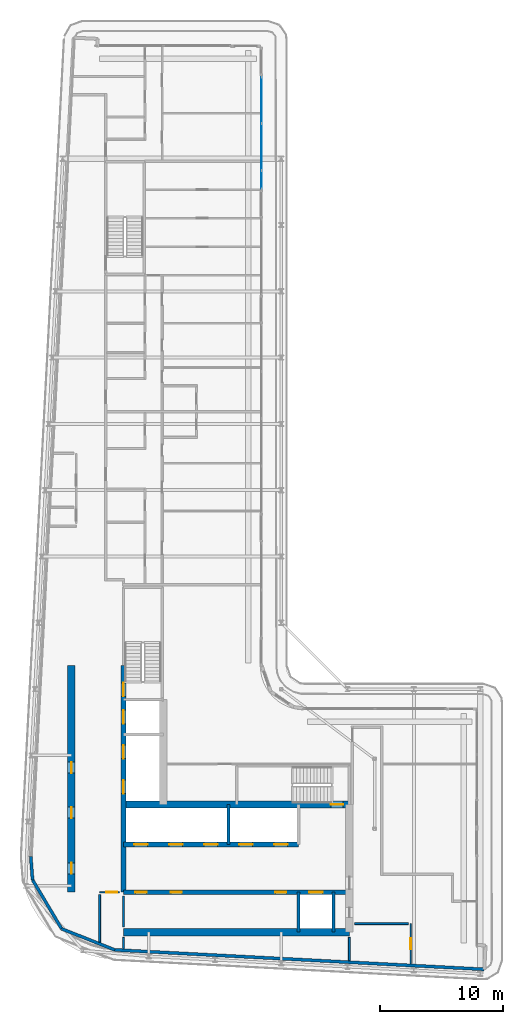
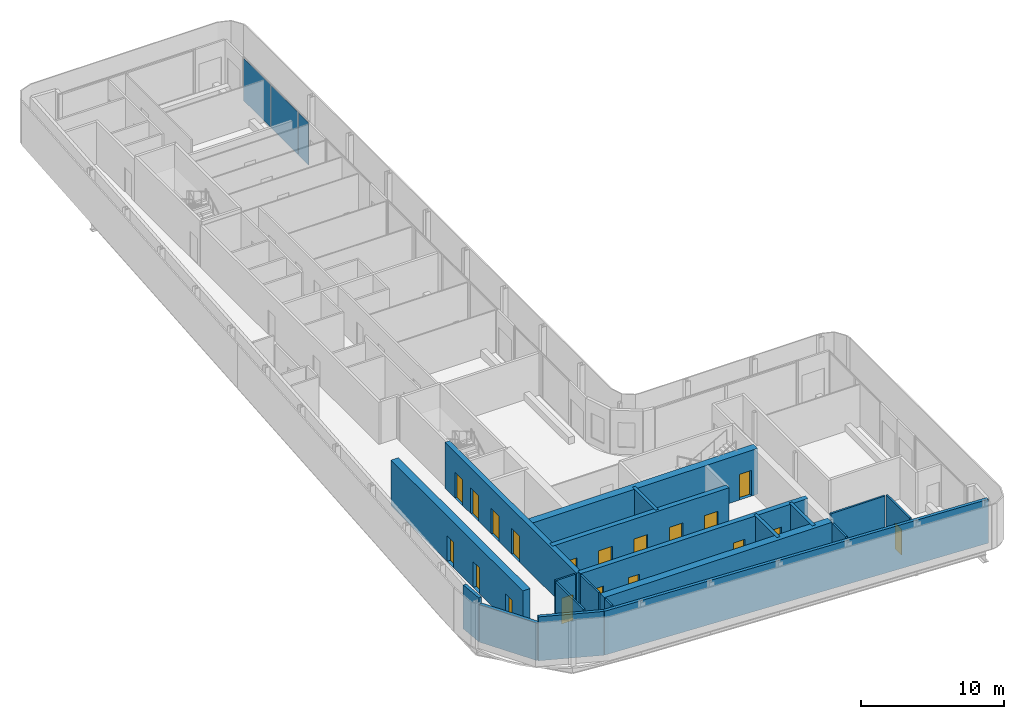
# One storey, part 11 of 21: 20 walls, 19 doors, 3 plates, 19 openings, 2 elements without a shape of their own.
"""IFC4 building model written with IfcOpenShell, lengths in metres."""

import ifcopenshell
import ifcopenshell.guid

model = None  # the IFC model being written
_history = None  # IfcOwnerHistory: only IFC2X3 demands one
_inside = {}  # id of a spatial element -> (the spatial element, [elements in it])
_under = {}  # id of a project, library or spatial element -> (it, [spatial elements below it])
_declared = {}  # id of a project -> (the project, [libraries it declares])
_typed = {}  # id of a type object -> (the type object, [elements of that type])
_made_of = {}  # id of a material, layer set ... -> (it, [elements and type objects made of it])


def new_model(schema):
    """Start an empty IFC model of exactly this schema.

    Asked for "IFC4X3", IfcOpenShell would pick the latest addendum, in which some entities
    have other attributes; the version numbers below select the first issue.
    IFC2X3 requires an IfcOwnerHistory on every rooted entity: one is made here for all.
    """
    global model, _history
    if schema == "IFC4X3":
        model = ifcopenshell.file(schema_version=(4, 3, 0, 0))
    else:
        model = ifcopenshell.file(schema=schema)
    _inside.clear()
    _under.clear()
    _declared.clear()
    _typed.clear()
    _made_of.clear()
    _history = None
    if model.schema == "IFC2X3":
        org = make("IfcOrganization", Name="unknown")
        user = make(
            "IfcPersonAndOrganization",
            ThePerson=make("IfcPerson", FamilyName="unknown"),
            TheOrganization=org,
        )
        app = make(
            "IfcApplication",
            ApplicationDeveloper=org,
            Version="unknown",
            ApplicationFullName="unknown",
            ApplicationIdentifier="unknown",
        )
        _history = make(
            "IfcOwnerHistory",
            OwningUser=user,
            OwningApplication=app,
            ChangeAction="ADDED",
            CreationDate=0,
        )
    return model


def make(cls, **values):
    """One entity of the class cls with the attributes given. An attribute that is None is left unset."""
    return model.create_entity(
        cls, **{name: value for name, value in values.items() if value is not None}
    )


def rooted(cls, **values):
    """An entity with a GlobalId (a new one), such as an element, a storey or a relation."""
    return make(cls, GlobalId=ifcopenshell.guid.new(), OwnerHistory=_history, **values)


def si_unit(unit_type, name, prefix=None):
    """IfcSIUnit, for example si_unit("LENGTHUNIT", "METRE", prefix="MILLI")."""
    return make("IfcSIUnit", UnitType=unit_type, Prefix=prefix, Name=name)


def assignment(units):
    """IfcUnitAssignment: the units of a project."""
    return None if units is None else make("IfcUnitAssignment", Units=units)


def point(xyz):
    """IfcCartesianPoint."""
    return None if xyz is None else make("IfcCartesianPoint", Coordinates=xyz)


def direction(xyz):
    """IfcDirection."""
    return None if xyz is None else make("IfcDirection", DirectionRatios=xyz)


def frame(location, z_axis=None, x_axis=None):
    """IfcAxis2Placement3D, a coordinate frame: its origin and axes. An axis left out is left unset."""
    return make(
        "IfcAxis2Placement3D",
        Location=point(location),
        Axis=direction(z_axis),
        RefDirection=direction(x_axis),
    )


def frame_2d(location, x_axis=None):
    """IfcAxis2Placement2D, a coordinate frame in the plane: its origin and x axis."""
    return make(
        "IfcAxis2Placement2D", Location=point(location), RefDirection=direction(x_axis)
    )


def origin():
    """The frame at (0, 0, 0) with its axes left unset."""
    return frame((0.0, 0.0, 0.0))


def origin_2d():
    """The frame at (0, 0) in the plane with its x axis left unset."""
    return frame_2d((0.0, 0.0))


def place(relative_to, where):
    """IfcLocalPlacement: puts the frame where relative to a parent placement (None: the world)."""
    return make(
        "IfcLocalPlacement", PlacementRelTo=relative_to, RelativePlacement=where
    )


def context(
    kind, dimensions, precision=None, world=None, true_north=None, identifier=None
):
    """IfcGeometricRepresentationContext, for example the 3D "Model" context."""
    return make(
        "IfcGeometricRepresentationContext",
        ContextIdentifier=identifier,
        ContextType=kind,
        CoordinateSpaceDimension=dimensions,
        Precision=precision,
        WorldCoordinateSystem=world,
        TrueNorth=true_north,
    )


def subcontext(parent, identifier, kind, view, scale=None):
    """IfcGeometricRepresentationSubContext, for example "Body" below "Model"."""
    return make(
        "IfcGeometricRepresentationSubContext",
        ContextIdentifier=identifier,
        ContextType=kind,
        ParentContext=parent,
        TargetScale=scale,
        TargetView=view,
    )


def project(units=None, contexts=None):
    """IfcProject with its units and contexts."""
    return rooted(
        "IfcProject",
        Name="project",
        RepresentationContexts=contexts,
        UnitsInContext=assignment(units),
    )


def spatial(cls, under=None, at=None, **own):
    """A site, building, storey or space (cls), placed at a placement, below another one or the project."""
    s = rooted(cls, ObjectPlacement=at, **own)
    if under is not None:
        _under.setdefault(under.id(), (under, []))[1].append(s)
    return s


def profile(cls, at=None, kind="AREA", **sizes):
    """A parametric profile (cls). Its sizes go by their IFC names, for example OverallWidth=200.0."""
    return make(cls, ProfileType=kind, Position=at, **sizes)


def rectangle(**sizes):
    """IfcRectangleProfileDef."""
    return profile("IfcRectangleProfileDef", **sizes)


def extrude(swept, where, along, depth):
    """IfcExtrudedAreaSolid: the profile swept, set in the frame where, extruded along a direction by depth."""
    return make(
        "IfcExtrudedAreaSolid",
        SweptArea=swept,
        Position=where,
        ExtrudedDirection=direction(along),
        Depth=depth,
    )


def shape(context_of_items, identifier, shape_type, items):
    """IfcShapeRepresentation: the items that make up one representation, for example the "Body"."""
    return make(
        "IfcShapeRepresentation",
        ContextOfItems=context_of_items,
        RepresentationIdentifier=identifier,
        RepresentationType=shape_type,
        Items=items,
    )


def source(mapping_origin, context_of_items, identifier, shape_type, items):
    """IfcRepresentationMap: a shape defined once, which mapped items show again and again."""
    return make(
        "IfcRepresentationMap",
        MappingOrigin=mapping_origin,
        MappedRepresentation=shape(context_of_items, identifier, shape_type, items),
    )


def transform(
    local_origin,
    x_axis=None,
    y_axis=None,
    z_axis=None,
    scale=None,
    scale2=None,
    scale3=None,
    uniform=True,
):
    """IfcCartesianTransformationOperator3D, or its non-uniform kind. x_axis, y_axis, z_axis: its Axis1, 2, 3."""
    if uniform:
        return make(
            "IfcCartesianTransformationOperator3D",
            Axis1=direction(x_axis),
            Axis2=direction(y_axis),
            LocalOrigin=point(local_origin),
            Scale=scale,
            Axis3=direction(z_axis),
        )
    return make(
        "IfcCartesianTransformationOperator3DnonUniform",
        Axis1=direction(x_axis),
        Axis2=direction(y_axis),
        LocalOrigin=point(local_origin),
        Scale=scale,
        Axis3=direction(z_axis),
        Scale2=scale2,
        Scale3=scale3,
    )


def mapped(mapping_source, mapping_target):
    """IfcMappedItem: shows the shape of a source again, moved by a transform."""
    return make(
        "IfcMappedItem", MappingSource=mapping_source, MappingTarget=mapping_target
    )


def material(Name=None, Category=None):
    """IfcMaterial."""
    return make("IfcMaterial", Name=Name, Category=Category)


def layer(
    of_material, thickness, ventilated=None, Name=None, Category=None, Priority=None
):
    """IfcMaterialLayer: one layer of a wall or slab, of a material (None: an air gap)."""
    return make(
        "IfcMaterialLayer",
        Material=of_material,
        LayerThickness=thickness,
        IsVentilated=ventilated,
        Name=Name,
        Category=Category,
        Priority=Priority,
    )


def layer_set(layers, Name=None):
    """IfcMaterialLayerSet."""
    return make("IfcMaterialLayerSet", MaterialLayers=layers, LayerSetName=Name)


def made_of(thing, what):
    """Note that an element or type object is made of a material, layer set ...; save() writes the relation."""
    if what is not None:
        _made_of.setdefault(what.id(), (what, []))[1].append(thing)
    return thing


def type_object(cls, material=None, **own):
    """A type object (cls), such as IfcWallType, which elements share."""
    return made_of(rooted(cls, **own), material)


def element(
    cls,
    number,
    at=None,
    inside=None,
    cuts=None,
    type_object=None,
    material=None,
    context=None,
    identifier="Body",
    shape_type=None,
    held_by="IfcProductDefinitionShape",
    body=None,
    shapes=None,
    **own,
):
    """One element of the class cls, such as IfcWall. Its Tag is "e" and its number.

    at: its placement. inside: the storey or other place that contains it. cuts: it is an
    opening in that element (IfcRelVoidsElement). A single representation is given by context,
    identifier, shape_type and body (its items); several are given by shapes. held_by: the class
    of the entity that holds the representations. save() writes the other relations.
    """
    e = rooted(cls, Tag="e%d" % number, ObjectPlacement=at, **own)
    if body is not None:
        shapes = [shape(context, identifier, shape_type, body)]
    if shapes is not None:
        e.Representation = make(held_by, Representations=shapes)
    if inside is not None:
        _inside.setdefault(inside.id(), (inside, []))[1].append(e)
    if cuts is not None:
        rooted(
            "IfcRelVoidsElement", RelatingBuildingElement=cuts, RelatedOpeningElement=e
        )
    if type_object is not None:
        _typed.setdefault(type_object.id(), (type_object, []))[1].append(e)
    return made_of(e, material)


def fill(opening, filler):
    """IfcRelFillsElement: the door or window that sits in an opening."""
    return rooted(
        "IfcRelFillsElement",
        RelatingOpeningElement=opening,
        RelatedBuildingElement=filler,
    )


def aggregate(whole, parts):
    """IfcRelAggregates: a whole, such as a stair, and the parts it consists of."""
    return rooted("IfcRelAggregates", RelatingObject=whole, RelatedObjects=parts)


def save(model, path):
    """Write the relations noted so far, then the file.

    IfcRelAggregates (storeys below a building ...), IfcRelContainedInSpatialStructure (elements
    in a storey), IfcRelDefinesByType, IfcRelAssociatesMaterial and IfcRelDeclares: one each for
    every whole, place, type object, material and project.
    """
    for whole, parts in _under.values():
        aggregate(whole, parts)
    for where, things in _inside.values():
        rooted(
            "IfcRelContainedInSpatialStructure",
            RelatedElements=things,
            RelatingStructure=where,
        )
    for kind, things in _typed.values():
        rooted("IfcRelDefinesByType", RelatedObjects=things, RelatingType=kind)
    for what, things in _made_of.values():
        rooted("IfcRelAssociatesMaterial", RelatedObjects=things, RelatingMaterial=what)
    for by, libraries in _declared.values():
        rooted("IfcRelDeclares", RelatingContext=by, RelatedDefinitions=libraries)
    model.write(path)


model = new_model("IFC4")

# Units and contexts
model_context = context("Model", 3, precision=1e-05, world=origin(), true_north=direction((0.0, 1.0)))
body_context = subcontext(model_context, "Body", "Model", "MODEL_VIEW")
ifc_project = project(units=[si_unit("LENGTHUNIT", "METRE"), si_unit("AREAUNIT", "SQUARE_METRE"), si_unit("VOLUMEUNIT", "CUBIC_METRE"), si_unit("PLANEANGLEUNIT", "RADIAN"), si_unit("MASSUNIT", "GRAM", prefix="KILO")], contexts=[model_context])

# Site, building, storey
site_placement = place(None, origin())
site = spatial("IfcSite", under=ifc_project, at=site_placement, CompositionType="ELEMENT")
building_placement = place(site_placement, origin())
building = spatial("IfcBuilding", under=site, at=building_placement, Name="Kheshtan School and Residences Tower", CompositionType="ELEMENT")
storey_placement = place(building_placement, frame((0.0, 0.0, 282.5)))
storey = spatial("IfcBuildingStorey", under=building, at=storey_placement, Name="L66", CompositionType="ELEMENT", Elevation=282.5)

# Curtain wall, plates
ifc_material_1 = material(Name="Clear low-e glass in thermally broken aluminium frame", Category="aluminium")
ifc_layer_1 = layer(ifc_material_1, 0.199951171875)
ifc_layer_set_1 = layer_set([ifc_layer_1], Name="Curtain wall CW-L")
curtain_wall_type = type_object("IfcCurtainWallType", Name="Curtain wall CW-L", PredefinedType="NOTDEFINED", material=ifc_layer_set_1)
curtain_wall_1_placement = place(storey_placement, origin())
curtain_wall_1 = element("IfcCurtainWall", 1, at=curtain_wall_1_placement, inside=storey, type_object=curtain_wall_type, Name="Curtain wall CWL8", PredefinedType="NOTDEFINED")
ifc_layer_2 = layer(ifc_material_1, 0.031982421875)
ifc_layer_set_2 = layer_set([ifc_layer_2], Name="CW-L glass panel")
plate_type = type_object("IfcPlateType", Name="CW-L glass panel", PredefinedType="CURTAIN_PANEL", material=ifc_layer_set_2)
plate_1_placement = place(storey_placement, frame((46.0, 93.5615234375, 0.0), z_axis=(0.0, 0.0, 1.0), x_axis=(0.0, -1.0, 0.0)))
plate_1 = element("IfcPlate", 2, at=plate_1_placement, type_object=plate_type, Name="CWL8 panel 1.1", PredefinedType="CURTAIN_PANEL", context=body_context, shape_type="SweptSolid", body=[
    extrude(rectangle(XDim=3.757080078125, YDim=0.031982421875, at=origin_2d()), origin(), (0.0, 0.0, 1.0), 3.6298828125),
])
plate_2_placement = place(storey_placement, frame((46.0, 89.744384765625, 0.0), z_axis=(0.0, 0.0, 1.0), x_axis=(0.0, -1.0, 0.0)))
plate_2 = element("IfcPlate", 3, at=plate_2_placement, type_object=plate_type, Name="CWL8 panel 2.1", PredefinedType="CURTAIN_PANEL", context=body_context, shape_type="SweptSolid", body=[
    extrude(rectangle(XDim=3.757080078125, YDim=0.031982421875, at=origin_2d()), origin(), (0.0, 0.0, 1.0), 3.6298828125),
])
aggregate(curtain_wall_1, [plate_1, plate_2])

# Curtain wall, plate
curtain_wall_2_placement = place(storey_placement, origin())
curtain_wall_2 = element("IfcCurtainWall", 4, at=curtain_wall_2_placement, inside=storey, type_object=curtain_wall_type, Name="Curtain wall CWL8a", PredefinedType="NOTDEFINED")
plate_3_placement = place(storey_placement, frame((46.0, 87.0859375, 0.0), z_axis=(0.0, 0.0, 1.0), x_axis=(0.0, -1.0, 0.0)))
plate_3 = element("IfcPlate", 5, at=plate_3_placement, type_object=plate_type, Name="CWL8a panel 1.1", PredefinedType="CURTAIN_PANEL", context=body_context, shape_type="SweptSolid", body=[
    extrude(rectangle(XDim=1.43994140625, YDim=0.031982421875, at=origin_2d()), origin(), (0.0, 0.0, 1.0), 3.6298828125),
])
aggregate(curtain_wall_2, [plate_3])

# Wall, openings, doors
ifc_material_2 = material(Name="Concrete C50/60", Category="concrete")
ifc_layer_3 = layer(ifc_material_2, 0.39990234375)
ifc_layer_set_3 = layer_set([ifc_layer_3], Name="Core wall 400 Concrete C50/60")
wall_type_1 = type_object("IfcWallType", Name="Core wall 400 Concrete C50/60", PredefinedType="SHEAR", material=ifc_layer_set_3)
wall_1_placement = place(storey_placement, frame((34.75, 29.050048828125, 0.0), z_axis=(0.0, 0.0, 1.0), x_axis=(1.0, 0.0, 0.0)))
wall_1 = element("IfcWall", 6, at=wall_1_placement, inside=storey, type_object=wall_type_1, Name="Core wall CW-HALL-S1", PredefinedType="SHEAR", context=body_context, shape_type="SweptSolid", body=[
    extrude(rectangle(XDim=18.39990234375, YDim=0.39990234375, at=frame_2d((9.199951171875, 0.0))), origin(), (0.0, 0.0, 1.0), 3.89990234375),
])
opening_1_placement = place(wall_1_placement, frame((15.125, 0.0, 0.0)))
opening_1 = element("IfcOpeningElement", 7, at=opening_1_placement, cuts=wall_1, Name="Opening LD", PredefinedType="OPENING", context=body_context, shape_type="SweptSolid", body=[
    extrude(rectangle(XDim=1.10009765625, YDim=2.199951171875, at=frame_2d((0.550048828125, 1.10009765625))), frame((0.0, 0.2099609375, 0.0), z_axis=(0.0, -1.0, 0.0), x_axis=(1.0, 0.0, 0.0)), (0.0, 0.0, 1.0), 0.419921875),
])
opening_2_placement = place(wall_1_placement, frame((0.97509765625, 0.0, 0.0)))
opening_2 = element("IfcOpeningElement", 8, at=opening_2_placement, cuts=wall_1, Name="Opening SR90", PredefinedType="OPENING", context=body_context, shape_type="SweptSolid", body=[
    extrude(rectangle(XDim=0.89990234375, YDim=2.199951171875, at=frame_2d((0.449951171875, 1.10009765625))), frame((0.0, 0.2099609375, 0.0), z_axis=(0.0, -1.0, 0.0), x_axis=(1.0, 0.0, 0.0)), (0.0, 0.0, 1.0), 0.419921875),
])
opening_3_placement = place(wall_1_placement, frame((3.860107421875, 0.0, 0.0)))
opening_3 = element("IfcOpeningElement", 9, at=opening_3_placement, cuts=wall_1, Name="Opening SR90", PredefinedType="OPENING", context=body_context, shape_type="SweptSolid", body=[
    extrude(rectangle(XDim=0.89990234375, YDim=2.199951171875, at=frame_2d((0.449951171875, 1.10009765625))), frame((0.0, 0.2099609375, 0.0), z_axis=(0.0, -1.0, 0.0), x_axis=(1.0, 0.0, 0.0)), (0.0, 0.0, 1.0), 0.419921875),
])
opening_4_placement = place(wall_1_placement, frame((12.375, 0.0, 0.0)))
opening_4 = element("IfcOpeningElement", 10, at=opening_4_placement, cuts=wall_1, Name="Opening SR90", PredefinedType="OPENING", context=body_context, shape_type="SweptSolid", body=[
    extrude(rectangle(XDim=0.89990234375, YDim=2.199951171875, at=frame_2d((0.449951171875, 1.10009765625))), frame((0.0, 0.2099609375, 0.0), z_axis=(0.0, -1.0, 0.0), x_axis=(1.0, 0.0, 0.0)), (0.0, 0.0, 1.0), 0.419921875),
])
ifc_material_3 = material(Name="Stainless steel door leaves", Category="steel")
door_type_1 = type_object("IfcDoorType", Name="Lift landing door 1100", OperationType="SLIDING_TO_LEFT", PredefinedType="DOOR", material=ifc_material_3)
shared_shape_1 = source(origin(), body_context, "Body", "SweptSolid", [
    extrude(rectangle(XDim=1.10009765625, YDim=2.199951171875, at=frame_2d((0.550048828125, 1.10009765625))), frame((0.0, 0.02490234375, 0.0), z_axis=(0.0, -1.0, 0.0), x_axis=(1.0, 0.0, 0.0)), (0.0, 0.0, 1.0), 0.050048828125),
])
door_1_placement = place(opening_1_placement, origin())
door_1 = element("IfcDoor", 11, at=door_1_placement, inside=storey, type_object=door_type_1, Name="Lift FFL2 landing door", OperationType="SLIDING_TO_LEFT", OverallHeight=2.199951171875, OverallWidth=1.10009765625, PredefinedType="DOOR", context=body_context, shape_type="MappedRepresentation", body=[
    mapped(shared_shape_1, transform((0.0, 0.0, 0.0), x_axis=(1.0, 0.0, 0.0), y_axis=(0.0, 1.0, 0.0), z_axis=(0.0, 0.0, 1.0), scale=1.0)),
])
fill(opening_1, door_1)
ifc_material_4 = material(Name="Steel door leaf, galvanised", Category="steel")
door_type_2 = type_object("IfcDoorType", Name="Service room door 900 steel 90 min", OperationType="SINGLE_SWING_LEFT", PredefinedType="DOOR", material=ifc_material_4)
shared_shape_2 = source(origin(), body_context, "Body", "SweptSolid", [
    extrude(rectangle(XDim=0.89990234375, YDim=2.199951171875, at=frame_2d((0.449951171875, 1.10009765625))), frame((0.0, 0.02490234375, 0.0), z_axis=(0.0, -1.0, 0.0), x_axis=(1.0, 0.0, 0.0)), (0.0, 0.0, 1.0), 0.050048828125),
])
door_2_placement = place(opening_2_placement, origin())
door_2 = element("IfcDoor", 12, at=door_2_placement, inside=storey, type_object=door_type_2, Name="Service room door", OperationType="SINGLE_SWING_LEFT", OverallHeight=2.199951171875, OverallWidth=0.89990234375, PredefinedType="DOOR", context=body_context, shape_type="MappedRepresentation", body=[
    mapped(shared_shape_2, transform((0.0, 0.0, 0.0), x_axis=(1.0, 0.0, 0.0), y_axis=(0.0, 1.0, 0.0), z_axis=(0.0, 0.0, 1.0), scale=1.0)),
])
fill(opening_2, door_2)
door_3_placement = place(opening_3_placement, origin())
door_3 = element("IfcDoor", 13, at=door_3_placement, inside=storey, type_object=door_type_2, Name="Service room door", OperationType="SINGLE_SWING_RIGHT", OverallHeight=2.199951171875, OverallWidth=0.89990234375, PredefinedType="DOOR", context=body_context, shape_type="MappedRepresentation", body=[
    mapped(shared_shape_2, transform((0.0, 0.0, 0.0), x_axis=(1.0, 0.0, 0.0), y_axis=(0.0, 1.0, 0.0), z_axis=(0.0, 0.0, 1.0), scale=1.0)),
])
fill(opening_3, door_3)
door_4_placement = place(opening_4_placement, origin())
door_4 = element("IfcDoor", 14, at=door_4_placement, inside=storey, type_object=door_type_2, Name="Service room door", OperationType="SINGLE_SWING_LEFT", OverallHeight=2.199951171875, OverallWidth=0.89990234375, PredefinedType="DOOR", context=body_context, shape_type="MappedRepresentation", body=[
    mapped(shared_shape_2, transform((0.0, 0.0, 0.0), x_axis=(1.0, 0.0, 0.0), y_axis=(0.0, 1.0, 0.0), z_axis=(0.0, 0.0, 1.0), scale=1.0)),
])
fill(opening_4, door_4)

wall_2_placement = place(storey_placement, frame((34.75, 32.949951171875, 0.0), z_axis=(0.0, 0.0, 1.0), x_axis=(1.0, 0.0, 0.0)))
wall_2 = element("IfcWall", 15, at=wall_2_placement, inside=storey, type_object=wall_type_1, Name="Core wall CW-HALL-S2", PredefinedType="SHEAR", context=body_context, shape_type="SweptSolid", body=[
    extrude(rectangle(XDim=14.25, YDim=0.39990234375, at=frame_2d((7.125, 0.0))), origin(), (0.0, 0.0, 1.0), 3.89990234375),
])
opening_5_placement = place(wall_2_placement, frame((0.875, 0.0, 0.0)))
opening_5 = element("IfcOpeningElement", 16, at=opening_5_placement, cuts=wall_2, Name="Opening LD", PredefinedType="OPENING", context=body_context, shape_type="SweptSolid", body=[
    extrude(rectangle(XDim=1.10009765625, YDim=2.199951171875, at=frame_2d((0.550048828125, 1.10009765625))), frame((0.0, 0.2099609375, 0.0), z_axis=(0.0, -1.0, 0.0), x_axis=(1.0, 0.0, 0.0)), (0.0, 0.0, 1.0), 0.419921875),
])
opening_6_placement = place(wall_2_placement, frame((3.72509765625, 0.0, 0.0)))
opening_6 = element("IfcOpeningElement", 17, at=opening_6_placement, cuts=wall_2, Name="Opening LD", PredefinedType="OPENING", context=body_context, shape_type="SweptSolid", body=[
    extrude(rectangle(XDim=1.10009765625, YDim=2.199951171875, at=frame_2d((0.550048828125, 1.10009765625))), frame((0.0, 0.2099609375, 0.0), z_axis=(0.0, -1.0, 0.0), x_axis=(1.0, 0.0, 0.0)), (0.0, 0.0, 1.0), 0.419921875),
])
opening_7_placement = place(wall_2_placement, frame((6.574951171875, 0.0, 0.0)))
opening_7 = element("IfcOpeningElement", 18, at=opening_7_placement, cuts=wall_2, Name="Opening LD", PredefinedType="OPENING", context=body_context, shape_type="SweptSolid", body=[
    extrude(rectangle(XDim=1.10009765625, YDim=2.199951171875, at=frame_2d((0.550048828125, 1.10009765625))), frame((0.0, 0.2099609375, 0.0), z_axis=(0.0, -1.0, 0.0), x_axis=(1.0, 0.0, 0.0)), (0.0, 0.0, 1.0), 0.419921875),
])
opening_8_placement = place(wall_2_placement, frame((9.425048828125, 0.0, 0.0)))
opening_8 = element("IfcOpeningElement", 19, at=opening_8_placement, cuts=wall_2, Name="Opening LD", PredefinedType="OPENING", context=body_context, shape_type="SweptSolid", body=[
    extrude(rectangle(XDim=1.10009765625, YDim=2.199951171875, at=frame_2d((0.550048828125, 1.10009765625))), frame((0.0, 0.2099609375, 0.0), z_axis=(0.0, -1.0, 0.0), x_axis=(1.0, 0.0, 0.0)), (0.0, 0.0, 1.0), 0.419921875),
])
opening_9_placement = place(wall_2_placement, frame((12.27490234375, 0.0, 0.0)))
opening_9 = element("IfcOpeningElement", 20, at=opening_9_placement, cuts=wall_2, Name="Opening LD", PredefinedType="OPENING", context=body_context, shape_type="SweptSolid", body=[
    extrude(rectangle(XDim=1.10009765625, YDim=2.199951171875, at=frame_2d((0.550048828125, 1.10009765625))), frame((0.0, 0.2099609375, 0.0), z_axis=(0.0, -1.0, 0.0), x_axis=(1.0, 0.0, 0.0)), (0.0, 0.0, 1.0), 0.419921875),
])
door_5_placement = place(opening_5_placement, origin())
door_5 = element("IfcDoor", 21, at=door_5_placement, inside=storey, type_object=door_type_1, Name="Lift P12 landing door", OperationType="SLIDING_TO_LEFT", OverallHeight=2.199951171875, OverallWidth=1.10009765625, PredefinedType="DOOR", context=body_context, shape_type="MappedRepresentation", body=[
    mapped(shared_shape_1, transform((0.0, 0.0, 0.0), x_axis=(1.0, 0.0, 0.0), y_axis=(0.0, 1.0, 0.0), z_axis=(0.0, 0.0, 1.0), scale=1.0)),
])
fill(opening_5, door_5)
door_6_placement = place(opening_6_placement, origin())
door_6 = element("IfcDoor", 22, at=door_6_placement, inside=storey, type_object=door_type_1, Name="Lift P13 landing door", OperationType="SLIDING_TO_LEFT", OverallHeight=2.199951171875, OverallWidth=1.10009765625, PredefinedType="DOOR", context=body_context, shape_type="MappedRepresentation", body=[
    mapped(shared_shape_1, transform((0.0, 0.0, 0.0), x_axis=(1.0, 0.0, 0.0), y_axis=(0.0, 1.0, 0.0), z_axis=(0.0, 0.0, 1.0), scale=1.0)),
])
fill(opening_6, door_6)
door_7_placement = place(opening_7_placement, origin())
door_7 = element("IfcDoor", 23, at=door_7_placement, inside=storey, type_object=door_type_1, Name="Lift P14 landing door", OperationType="SLIDING_TO_LEFT", OverallHeight=2.199951171875, OverallWidth=1.10009765625, PredefinedType="DOOR", context=body_context, shape_type="MappedRepresentation", body=[
    mapped(shared_shape_1, transform((0.0, 0.0, 0.0), x_axis=(1.0, 0.0, 0.0), y_axis=(0.0, 1.0, 0.0), z_axis=(0.0, 0.0, 1.0), scale=1.0)),
])
fill(opening_7, door_7)
door_8_placement = place(opening_8_placement, origin())
door_8 = element("IfcDoor", 24, at=door_8_placement, inside=storey, type_object=door_type_1, Name="Lift P15 landing door", OperationType="SLIDING_TO_LEFT", OverallHeight=2.199951171875, OverallWidth=1.10009765625, PredefinedType="DOOR", context=body_context, shape_type="MappedRepresentation", body=[
    mapped(shared_shape_1, transform((0.0, 0.0, 0.0), x_axis=(1.0, 0.0, 0.0), y_axis=(0.0, 1.0, 0.0), z_axis=(0.0, 0.0, 1.0), scale=1.0)),
])
fill(opening_8, door_8)
door_9_placement = place(opening_9_placement, origin())
door_9 = element("IfcDoor", 25, at=door_9_placement, inside=storey, type_object=door_type_1, Name="Lift P16 landing door", OperationType="SLIDING_TO_LEFT", OverallHeight=2.199951171875, OverallWidth=1.10009765625, PredefinedType="DOOR", context=body_context, shape_type="MappedRepresentation", body=[
    mapped(shared_shape_1, transform((0.0, 0.0, 0.0), x_axis=(1.0, 0.0, 0.0), y_axis=(0.0, 1.0, 0.0), z_axis=(0.0, 0.0, 1.0), scale=1.0)),
])
fill(opening_9, door_9)

wall_3_placement = place(storey_placement, frame((34.75, 29.050048828125, 0.0), z_axis=(0.0, 0.0, 1.0), x_axis=(0.0, 1.0, 0.0)))
wall_3 = element("IfcWall", 26, at=wall_3_placement, inside=storey, type_object=wall_type_1, Name="Core wall CW-HALL-W1", PredefinedType="SHEAR", context=body_context, shape_type="SweptSolid", body=[
    extrude(rectangle(XDim=18.449951171875, YDim=0.39990234375, at=frame_2d((9.22509765625, 0.0))), origin(), (0.0, 0.0, 1.0), 3.89990234375),
])
opening_10_placement = place(wall_3_placement, frame((8.02490234375, 0.0, 0.0)))
opening_10 = element("IfcOpeningElement", 27, at=opening_10_placement, cuts=wall_3, Name="Opening LD", PredefinedType="OPENING", context=body_context, shape_type="SweptSolid", body=[
    extrude(rectangle(XDim=1.10009765625, YDim=2.199951171875, at=frame_2d((0.550048828125, 1.10009765625))), frame((0.0, 0.2099609375, 0.0), z_axis=(0.0, -1.0, 0.0), x_axis=(1.0, 0.0, 0.0)), (0.0, 0.0, 1.0), 0.419921875),
])
opening_11_placement = place(wall_3_placement, frame((10.875, 0.0, 0.0)))
opening_11 = element("IfcOpeningElement", 28, at=opening_11_placement, cuts=wall_3, Name="Opening LD", PredefinedType="OPENING", context=body_context, shape_type="SweptSolid", body=[
    extrude(rectangle(XDim=1.10009765625, YDim=2.199951171875, at=frame_2d((0.550048828125, 1.10009765625))), frame((0.0, 0.2099609375, 0.0), z_axis=(0.0, -1.0, 0.0), x_axis=(1.0, 0.0, 0.0)), (0.0, 0.0, 1.0), 0.419921875),
])
opening_12_placement = place(wall_3_placement, frame((13.72509765625, 0.0, 0.0)))
opening_12 = element("IfcOpeningElement", 29, at=opening_12_placement, cuts=wall_3, Name="Opening LD", PredefinedType="OPENING", context=body_context, shape_type="SweptSolid", body=[
    extrude(rectangle(XDim=1.10009765625, YDim=2.199951171875, at=frame_2d((0.550048828125, 1.10009765625))), frame((0.0, 0.2099609375, 0.0), z_axis=(0.0, -1.0, 0.0), x_axis=(1.0, 0.0, 0.0)), (0.0, 0.0, 1.0), 0.419921875),
])
opening_13_placement = place(wall_3_placement, frame((15.949951171875, 0.0, 0.0)))
opening_13 = element("IfcOpeningElement", 30, at=opening_13_placement, cuts=wall_3, Name="Opening ST2D", PredefinedType="OPENING", context=body_context, shape_type="SweptSolid", body=[
    extrude(rectangle(XDim=1.10009765625, YDim=2.199951171875, at=frame_2d((0.550048828125, 1.10009765625))), frame((0.0, 0.2099609375, 0.0), z_axis=(0.0, -1.0, 0.0), x_axis=(1.0, 0.0, 0.0)), (0.0, 0.0, 1.0), 0.419921875),
])
door_10_placement = place(opening_10_placement, origin())
door_10 = element("IfcDoor", 31, at=door_10_placement, inside=storey, type_object=door_type_1, Name="Lift SV1 landing door", OperationType="SLIDING_TO_LEFT", OverallHeight=2.199951171875, OverallWidth=1.10009765625, PredefinedType="DOOR", context=body_context, shape_type="MappedRepresentation", body=[
    mapped(shared_shape_1, transform((0.0, 0.0, 0.0), x_axis=(1.0, 0.0, 0.0), y_axis=(0.0, 1.0, 0.0), z_axis=(0.0, 0.0, 1.0), scale=1.0)),
])
fill(opening_10, door_10)
door_11_placement = place(opening_11_placement, origin())
door_11 = element("IfcDoor", 32, at=door_11_placement, inside=storey, type_object=door_type_1, Name="Lift SV2 landing door", OperationType="SLIDING_TO_LEFT", OverallHeight=2.199951171875, OverallWidth=1.10009765625, PredefinedType="DOOR", context=body_context, shape_type="MappedRepresentation", body=[
    mapped(shared_shape_1, transform((0.0, 0.0, 0.0), x_axis=(1.0, 0.0, 0.0), y_axis=(0.0, 1.0, 0.0), z_axis=(0.0, 0.0, 1.0), scale=1.0)),
])
fill(opening_11, door_11)
door_12_placement = place(opening_12_placement, origin())
door_12 = element("IfcDoor", 33, at=door_12_placement, inside=storey, type_object=door_type_1, Name="Lift FFL1 landing door", OperationType="SLIDING_TO_LEFT", OverallHeight=2.199951171875, OverallWidth=1.10009765625, PredefinedType="DOOR", context=body_context, shape_type="MappedRepresentation", body=[
    mapped(shared_shape_1, transform((0.0, 0.0, 0.0), x_axis=(1.0, 0.0, 0.0), y_axis=(0.0, 1.0, 0.0), z_axis=(0.0, 0.0, 1.0), scale=1.0)),
])
fill(opening_12, door_12)
door_type_3 = type_object("IfcDoorType", Name="Stair door 1100 steel 90 min", OperationType="SINGLE_SWING_LEFT", PredefinedType="DOOR", material=ifc_material_4)
shared_shape_3 = source(origin(), body_context, "Body", "SweptSolid", [
    extrude(rectangle(XDim=1.10009765625, YDim=2.199951171875, at=frame_2d((0.550048828125, 1.10009765625))), frame((0.0, 0.02490234375, 0.0), z_axis=(0.0, -1.0, 0.0), x_axis=(1.0, 0.0, 0.0)), (0.0, 0.0, 1.0), 0.050048828125),
])
door_13_placement = place(opening_13_placement, origin())
door_13 = element("IfcDoor", 34, at=door_13_placement, inside=storey, type_object=door_type_3, Name="Stair ST2 door", OperationType="SINGLE_SWING_RIGHT", OverallHeight=2.199951171875, OverallWidth=1.10009765625, PredefinedType="DOOR", context=body_context, shape_type="MappedRepresentation", body=[
    mapped(shared_shape_3, transform((0.0, 0.0, 0.0), x_axis=(1.0, 0.0, 0.0), y_axis=(0.0, 1.0, 0.0), z_axis=(0.0, 0.0, 1.0), scale=1.0)),
])
fill(opening_13, door_13)

# Wall
ifc_material_5 = material(Name="Concrete C60/75", Category="concrete")
ifc_layer_4 = layer(ifc_material_5, 0.60009765625)
ifc_layer_set_4 = layer_set([ifc_layer_4], Name="Core wall 600 Concrete C60/75")
wall_type_2 = type_object("IfcWallType", Name="Core wall 600 Concrete C60/75", PredefinedType="SHEAR", material=ifc_layer_set_4)
wall_4_placement = place(storey_placement, frame((34.75, 25.800048828125, 0.0), z_axis=(0.0, 0.0, 1.0), x_axis=(1.0, 0.0, 0.0)))
element("IfcWall", 35, at=wall_4_placement, inside=storey, type_object=wall_type_2, Name="Core wall CW-REAR-S", PredefinedType="SHEAR", context=body_context, shape_type="SweptSolid", body=[
    extrude(rectangle(XDim=18.39990234375, YDim=0.60009765625, at=frame_2d((9.199951171875, 0.0))), origin(), (0.0, 0.0, 1.0), 3.89990234375),
])

# Wall, opening, door
wall_5_placement = place(storey_placement, frame((34.75, 36.199951171875, 0.0), z_axis=(0.0, 0.0, 1.0), x_axis=(1.0, 0.0, 0.0)))
wall_5 = element("IfcWall", 36, at=wall_5_placement, inside=storey, type_object=wall_type_2, Name="Core wall CW-FRONT-S", PredefinedType="SHEAR", context=body_context, shape_type="SweptSolid", body=[
    extrude(rectangle(XDim=18.39990234375, YDim=0.60009765625, at=frame_2d((9.199951171875, 0.0))), origin(), (0.0, 0.0, 1.0), 3.89990234375),
])
opening_14_placement = place(wall_5_placement, frame((16.89990234375, 0.0, 0.0)))
opening_14 = element("IfcOpeningElement", 37, at=opening_14_placement, cuts=wall_5, Name="Opening ST1D", PredefinedType="OPENING", context=body_context, shape_type="SweptSolid", body=[
    extrude(rectangle(XDim=1.0, YDim=2.199951171875, at=frame_2d((0.5, 1.10009765625))), frame((0.0, 0.31005859375, 0.0), z_axis=(0.0, -1.0, 0.0), x_axis=(1.0, 0.0, 0.0)), (0.0, 0.0, 1.0), 0.6201171875),
])
shared_shape_4 = source(origin(), body_context, "Body", "SweptSolid", [
    extrude(rectangle(XDim=1.0, YDim=2.199951171875, at=frame_2d((0.5, 1.10009765625))), frame((0.0, 0.02490234375, 0.0), z_axis=(0.0, -1.0, 0.0), x_axis=(1.0, 0.0, 0.0)), (0.0, 0.0, 1.0), 0.050048828125),
])
door_14_placement = place(opening_14_placement, origin())
door_14 = element("IfcDoor", 38, at=door_14_placement, inside=storey, type_object=door_type_3, Name="Stair ST1 door", OperationType="SINGLE_SWING_RIGHT", OverallHeight=2.199951171875, OverallWidth=1.0, PredefinedType="DOOR", context=body_context, shape_type="MappedRepresentation", body=[
    mapped(shared_shape_4, transform((0.0, 0.0, 0.0), x_axis=(1.0, 0.0, 0.0), y_axis=(0.0, 1.0, 0.0), z_axis=(0.0, 0.0, 1.0), scale=1.0)),
])
fill(opening_14, door_14)

# Wall, openings, doors
wall_6_placement = place(storey_placement, frame((30.5, 29.050048828125, 0.0), z_axis=(0.0, 0.0, 1.0), x_axis=(0.0, 1.0, 0.0)))
wall_6 = element("IfcWall", 39, at=wall_6_placement, inside=storey, type_object=wall_type_2, Name="Core wall CW-REAR-W", PredefinedType="SHEAR", context=body_context, shape_type="SweptSolid", body=[
    extrude(rectangle(XDim=18.449951171875, YDim=0.60009765625, at=frame_2d((9.22509765625, 0.0))), origin(), (0.0, 0.0, 1.0), 3.89990234375),
])
opening_15_placement = place(wall_6_placement, frame((1.5, 0.0, 0.0)))
opening_15 = element("IfcOpeningElement", 40, at=opening_15_placement, cuts=wall_6, Name="Opening SR90", PredefinedType="OPENING", context=body_context, shape_type="SweptSolid", body=[
    extrude(rectangle(XDim=0.89990234375, YDim=2.199951171875, at=frame_2d((0.449951171875, 1.10009765625))), frame((0.0, 0.31005859375, 0.0), z_axis=(0.0, -1.0, 0.0), x_axis=(1.0, 0.0, 0.0)), (0.0, 0.0, 1.0), 0.6201171875),
])
opening_16_placement = place(wall_6_placement, frame((6.030029296875, 0.0, 0.0)))
opening_16 = element("IfcOpeningElement", 41, at=opening_16_placement, cuts=wall_6, Name="Opening SR90", PredefinedType="OPENING", context=body_context, shape_type="SweptSolid", body=[
    extrude(rectangle(XDim=0.89990234375, YDim=2.199951171875, at=frame_2d((0.449951171875, 1.10009765625))), frame((0.0, 0.31005859375, 0.0), z_axis=(0.0, -1.0, 0.0), x_axis=(1.0, 0.0, 0.0)), (0.0, 0.0, 1.0), 0.6201171875),
])
opening_17_placement = place(wall_6_placement, frame((9.699951171875, 0.0, 0.0)))
opening_17 = element("IfcOpeningElement", 42, at=opening_17_placement, cuts=wall_6, Name="Opening SR90", PredefinedType="OPENING", context=body_context, shape_type="SweptSolid", body=[
    extrude(rectangle(XDim=0.89990234375, YDim=2.199951171875, at=frame_2d((0.449951171875, 1.10009765625))), frame((0.0, 0.31005859375, 0.0), z_axis=(0.0, -1.0, 0.0), x_axis=(1.0, 0.0, 0.0)), (0.0, 0.0, 1.0), 0.6201171875),
])
door_15_placement = place(opening_15_placement, origin())
door_15 = element("IfcDoor", 43, at=door_15_placement, inside=storey, type_object=door_type_2, Name="Service room door", OperationType="SINGLE_SWING_LEFT", OverallHeight=2.199951171875, OverallWidth=0.89990234375, PredefinedType="DOOR", context=body_context, shape_type="MappedRepresentation", body=[
    mapped(shared_shape_2, transform((0.0, 0.0, 0.0), x_axis=(1.0, 0.0, 0.0), y_axis=(0.0, 1.0, 0.0), z_axis=(0.0, 0.0, 1.0), scale=1.0)),
])
fill(opening_15, door_15)
door_16_placement = place(opening_16_placement, origin())
door_16 = element("IfcDoor", 44, at=door_16_placement, inside=storey, type_object=door_type_2, Name="Service room door", OperationType="SINGLE_SWING_RIGHT", OverallHeight=2.199951171875, OverallWidth=0.89990234375, PredefinedType="DOOR", context=body_context, shape_type="MappedRepresentation", body=[
    mapped(shared_shape_2, transform((0.0, 0.0, 0.0), x_axis=(1.0, 0.0, 0.0), y_axis=(0.0, 1.0, 0.0), z_axis=(0.0, 0.0, 1.0), scale=1.0)),
])
fill(opening_16, door_16)
door_17_placement = place(opening_17_placement, origin())
door_17 = element("IfcDoor", 45, at=door_17_placement, inside=storey, type_object=door_type_2, Name="Service room door", OperationType="SINGLE_SWING_LEFT", OverallHeight=2.199951171875, OverallWidth=0.89990234375, PredefinedType="DOOR", context=body_context, shape_type="MappedRepresentation", body=[
    mapped(shared_shape_2, transform((0.0, 0.0, 0.0), x_axis=(1.0, 0.0, 0.0), y_axis=(0.0, 1.0, 0.0), z_axis=(0.0, 0.0, 1.0), scale=1.0)),
])
fill(opening_17, door_17)

# Walls
ifc_material_6 = material(Name="Concrete C40/50 with ceramic cladding and mineral wool insulation", Category="concrete")
ifc_layer_5 = layer(ifc_material_6, 0.25)
ifc_layer_set_5 = layer_set([ifc_layer_5], Name="External wall 250 ceramic clad")
wall_type_3 = type_object("IfcWallType", Name="External wall 250 ceramic clad", PredefinedType="SOLIDWALL", material=ifc_layer_set_5)
wall_7_placement = place(storey_placement, frame((34.0390625, 24.35302734375, 0.0), z_axis=(0.0, 0.0, 1.0), x_axis=(-0.929352825399, 0.369192803184, 0.0)))
element("IfcWall", 46, at=wall_7_placement, inside=storey, type_object=wall_type_3, Name="External wall L66 1", PredefinedType="SOLIDWALL", context=body_context, shape_type="SweptSolid", body=[
    extrude(rectangle(XDim=4.656005859375, YDim=0.25, at=frame_2d((2.328125, 0.0))), origin(), (0.0, 0.0, 1.0), 3.75),
])
wall_8_placement = place(storey_placement, frame((29.7119140625, 26.072021484375, 0.0), z_axis=(0.0, 0.0, 1.0), x_axis=(-0.511028049012, 0.859564036662, 0.0)))
element("IfcWall", 47, at=wall_8_placement, inside=storey, type_object=wall_type_3, Name="External wall L66 2", PredefinedType="SOLIDWALL", context=body_context, shape_type="SweptSolid", body=[
    extrude(rectangle(XDim=4.633544921875, YDim=0.25, at=frame_2d((2.31689453125, 0.0))), origin(), (0.0, 0.0, 1.0), 3.217041015625),
])
wall_9_placement = place(storey_placement, frame((27.343994140625, 30.054931640625, 0.0), z_axis=(0.0, 0.0, 1.0), x_axis=(-0.077571675317, 0.99698677784, 0.0)))
element("IfcWall", 48, at=wall_9_placement, inside=storey, type_object=wall_type_3, Name="External wall L66 3", PredefinedType="SOLIDWALL", context=body_context, shape_type="SweptSolid", body=[
    extrude(rectangle(XDim=1.919921875, YDim=0.25, at=frame_2d((0.9599609375, 0.0))), origin(), (0.0, 0.0, 1.0), 3.75),
])
wall_10_placement = place(storey_placement, frame((64.135986328125, 22.76904296875, 0.0), z_axis=(0.0, 0.0, 1.0), x_axis=(-0.998617941217, 0.052556707274, 0.0)))
element("IfcWall", 49, at=wall_10_placement, inside=storey, type_object=wall_type_3, Name="External wall L66 16", PredefinedType="SOLIDWALL", context=body_context, shape_type="SweptSolid", body=[
    extrude(rectangle(XDim=30.138671875, YDim=0.25, at=frame_2d((15.0693359375, 0.0))), origin(), (0.0, 0.0, 1.0), 3.75),
])
ifc_material_7 = material(Name="Fire-board shaft wall system")
ifc_layer_6 = layer(ifc_material_7, 0.14990234375)
ifc_layer_set_6 = layer_set([ifc_layer_6], Name="Service room wall 150")
wall_type_4 = type_object("IfcWallType", Name="Service room wall 150", PredefinedType="PARTITIONING", material=ifc_layer_set_6)
wall_11_placement = place(storey_placement, frame((34.75, 24.444091796875, 0.0), z_axis=(0.0, 0.0, 1.0), x_axis=(0.0, 1.0, 0.0)))
element("IfcWall", 50, at=wall_11_placement, inside=storey, type_object=wall_type_4, Name="Service room wall", PredefinedType="PARTITIONING", context=body_context, shape_type="SweptSolid", body=[
    extrude(rectangle(XDim=0.935791015625, YDim=0.14990234375, at=frame_2d((0.4677734375, 0.0))), origin(), (0.0, 0.0, 1.0), 3.89990234375),
])
wall_12_placement = place(storey_placement, frame((34.75, 26.219970703125, 0.0), z_axis=(0.0, 0.0, 1.0), x_axis=(0.0, 1.0, 0.0)))
element("IfcWall", 51, at=wall_12_placement, inside=storey, type_object=wall_type_4, Name="Service room wall", PredefinedType="PARTITIONING", context=body_context, shape_type="SweptSolid", body=[
    extrude(rectangle(XDim=2.510009765625, YDim=0.14990234375, at=frame_2d((1.2548828125, 0.0))), origin(), (0.0, 0.0, 1.0), 3.89990234375),
])

# Wall, opening, door
wall_13_placement = place(storey_placement, frame((32.804931640625, 29.050048828125, 0.0), z_axis=(0.0, 0.0, 1.0), x_axis=(1.0, 0.0, 0.0)))
wall_13 = element("IfcWall", 52, at=wall_13_placement, inside=storey, type_object=wall_type_4, Name="Service room wall", PredefinedType="PARTITIONING", context=body_context, shape_type="SweptSolid", body=[
    extrude(rectangle(XDim=1.625, YDim=0.14990234375, at=frame_2d((0.8125, 0.0))), origin(), (0.0, 0.0, 1.0), 3.89990234375),
])
opening_18_placement = place(wall_13_placement, frame((0.52294921875, 0.0, 0.0)))
opening_18 = element("IfcOpeningElement", 53, at=opening_18_placement, cuts=wall_13, Name="Opening SR90", PredefinedType="OPENING", context=body_context, shape_type="SweptSolid", body=[
    extrude(rectangle(XDim=0.89990234375, YDim=2.199951171875, at=frame_2d((0.449951171875, 1.10009765625))), frame((0.0, 0.0849609375, 0.0), z_axis=(0.0, -1.0, 0.0), x_axis=(1.0, 0.0, 0.0)), (0.0, 0.0, 1.0), 0.169921875),
])
door_18_placement = place(opening_18_placement, origin())
door_18 = element("IfcDoor", 54, at=door_18_placement, inside=storey, type_object=door_type_2, Name="Service room door", OperationType="SINGLE_SWING_LEFT", OverallHeight=2.199951171875, OverallWidth=0.89990234375, PredefinedType="DOOR", context=body_context, shape_type="MappedRepresentation", body=[
    mapped(shared_shape_2, transform((0.0, 0.0, 0.0), x_axis=(1.0, 0.0, 0.0), y_axis=(0.0, 1.0, 0.0), z_axis=(0.0, 0.0, 1.0), scale=1.0)),
])
fill(opening_18, door_18)

# Wall
wall_14_placement = place(storey_placement, frame((32.804931640625, 24.97998046875, 0.0), z_axis=(0.0, 0.0, 1.0), x_axis=(0.0, 1.0, 0.0)))
element("IfcWall", 55, at=wall_14_placement, inside=storey, type_object=wall_type_4, Name="Service room wall", PredefinedType="PARTITIONING", context=body_context, shape_type="SweptSolid", body=[
    extrude(rectangle(XDim=3.875, YDim=0.14990234375, at=frame_2d((1.9375, 0.0))), origin(), (0.0, 0.0, 1.0), 3.89990234375),
])

# Wall, opening, door
wall_15_placement = place(storey_placement, frame((58.14990234375, 23.2119140625, 0.0), z_axis=(0.0, 0.0, 1.0), x_axis=(0.0, 1.0, 0.0)))
wall_15 = element("IfcWall", 56, at=wall_15_placement, inside=storey, type_object=wall_type_4, Name="Service room wall", PredefinedType="PARTITIONING", context=body_context, shape_type="SweptSolid", body=[
    extrude(rectangle(XDim=3.281982421875, YDim=0.14990234375, at=frame_2d((1.64111328125, 0.0))), origin(), (0.0, 0.0, 1.0), 3.89990234375),
])
opening_19_placement = place(wall_15_placement, frame((1.205078125, 0.0, 0.0)))
opening_19 = element("IfcOpeningElement", 57, at=opening_19_placement, cuts=wall_15, Name="Opening SR90", PredefinedType="OPENING", context=body_context, shape_type="SweptSolid", body=[
    extrude(rectangle(XDim=0.89990234375, YDim=2.199951171875, at=frame_2d((0.449951171875, 1.10009765625))), frame((0.0, 0.0849609375, 0.0), z_axis=(0.0, -1.0, 0.0), x_axis=(1.0, 0.0, 0.0)), (0.0, 0.0, 1.0), 0.169921875),
])
door_19_placement = place(opening_19_placement, origin())
door_19 = element("IfcDoor", 58, at=door_19_placement, inside=storey, type_object=door_type_2, Name="Service room door", OperationType="SINGLE_SWING_LEFT", OverallHeight=2.199951171875, OverallWidth=0.89990234375, PredefinedType="DOOR", context=body_context, shape_type="MappedRepresentation", body=[
    mapped(shared_shape_2, transform((0.0, 0.0, 0.0), x_axis=(1.0, 0.0, 0.0), y_axis=(0.0, 1.0, 0.0), z_axis=(0.0, 0.0, 1.0), scale=1.0)),
])
fill(opening_19, door_19)

# Walls
wall_16_placement = place(storey_placement, frame((53.570068359375, 26.493896484375, 0.0), z_axis=(0.0, 0.0, 1.0), x_axis=(1.0, 0.0, 0.0)))
element("IfcWall", 59, at=wall_16_placement, inside=storey, type_object=wall_type_4, Name="Service room wall", PredefinedType="PARTITIONING", context=body_context, shape_type="SweptSolid", body=[
    extrude(rectangle(XDim=4.385009765625, YDim=0.14990234375, at=frame_2d((2.1923828125, 0.0))), origin(), (0.0, 0.0, 1.0), 3.89990234375),
])
wall_17_placement = place(storey_placement, frame((53.14990234375, 23.47509765625, 0.0), z_axis=(0.0, 0.0, 1.0), x_axis=(0.0, 1.0, 0.0)))
element("IfcWall", 60, at=wall_17_placement, inside=storey, type_object=wall_type_4, Name="Service room wall", PredefinedType="PARTITIONING", context=body_context, shape_type="SweptSolid", body=[
    extrude(rectangle(XDim=1.90478515625, YDim=0.14990234375, at=frame_2d((0.952392578125, 0.0))), origin(), (0.0, 0.0, 1.0), 3.89990234375),
])
ifc_layer_7 = layer(ifc_material_7, 0.25)
ifc_layer_set_7 = layer_set([ifc_layer_7], Name="Shaft lining wall 250")
wall_type_5 = type_object("IfcWallType", Name="Shaft lining wall 250", PredefinedType="PARTITIONING", material=ifc_layer_set_7)
for number, where, z_axis, x_axis, name in (
    (61, (43.300048828125, 32.949951171875, 0.0), (0.0, 0.0, 1.0), (0.0, 1.0, 0.0), "Shaft lining wall"),
    (62, (49.0, 25.800048828125, 0.0), (0.0, 0.0, 1.0), (0.0, 1.0, 0.0), "Shaft lining wall"),
    (63, (51.85009765625, 25.800048828125, 0.0), (0.0, 0.0, 1.0), (0.0, 1.0, 0.0), "Shaft lining wall"),
):
    element("IfcWall", number, at=place(storey_placement, frame(where, z_axis=z_axis, x_axis=x_axis)), inside=storey, type_object=wall_type_5, Name=name, PredefinedType="PARTITIONING", context=body_context, shape_type="SweptSolid", body=[
        extrude(rectangle(XDim=3.25, YDim=0.25, at=frame_2d((1.625, 0.0))), origin(), (0.0, 0.0, 1.0), 3.89990234375),
    ])

save(model, "model.ifc")
